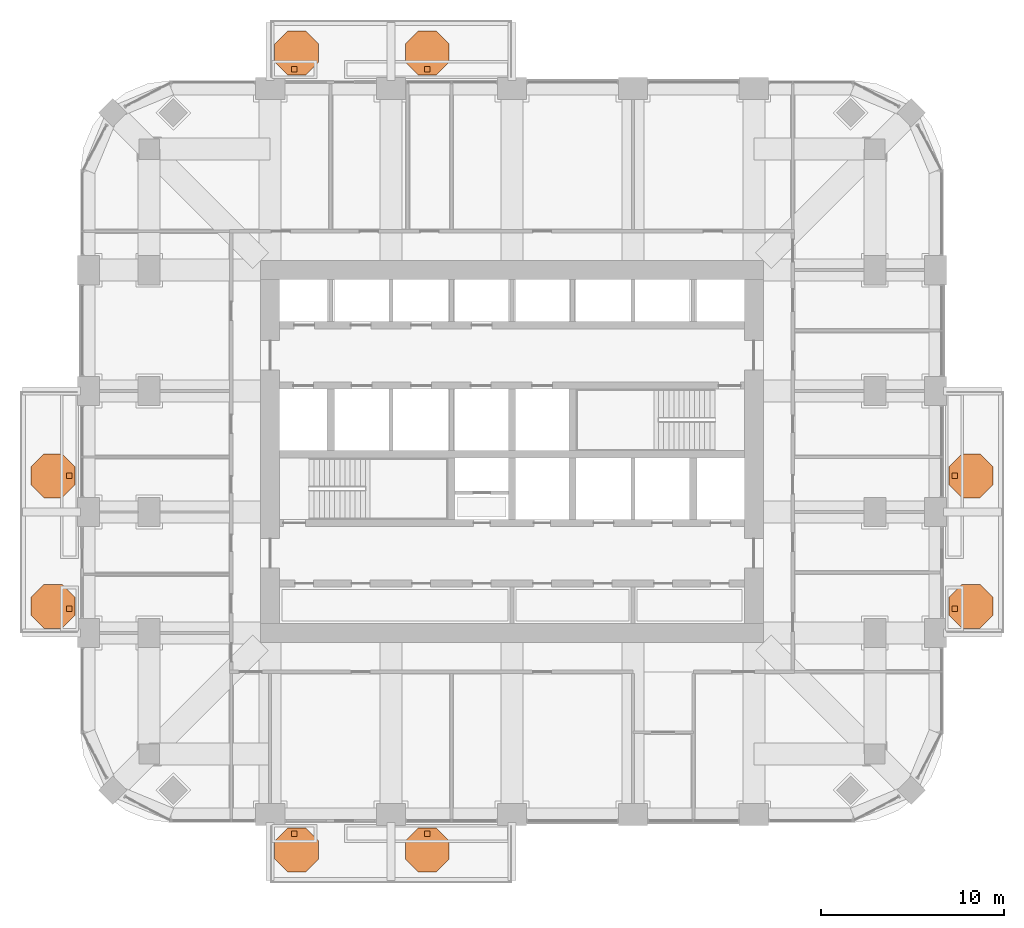
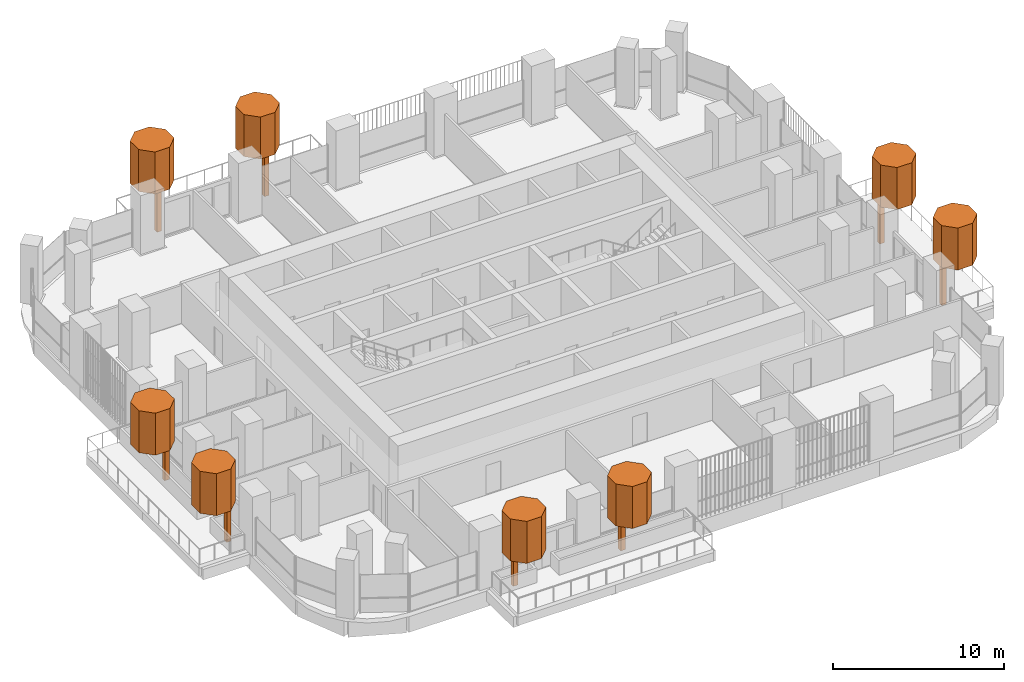
# One storey, part 20 of 20: 16 geographic elements.
"""IFC4 building model written with IfcOpenShell, lengths in metres."""

from ifc_helpers import new_model, si_unit, direction, frame, origin, origin_2d, place, context, subcontext, project, spatial, polyline, rectangle, outline, extrude, material, type_object, element, save


model = new_model("IFC4")

# Units and contexts
model_context = context("Model", 3, precision=1e-05, world=origin(), true_north=direction((0.0, 1.0)))
body_context = subcontext(model_context, "Body", "Model", "MODEL_VIEW")
ifc_project = project(units=[si_unit("LENGTHUNIT", "METRE"), si_unit("AREAUNIT", "SQUARE_METRE"), si_unit("VOLUMEUNIT", "CUBIC_METRE"), si_unit("PLANEANGLEUNIT", "RADIAN"), si_unit("MASSUNIT", "GRAM", prefix="KILO")], contexts=[model_context])

# Site, building, storey
site_placement = place(None, origin())
site = spatial("IfcSite", under=ifc_project, at=site_placement, CompositionType="ELEMENT")
building_placement = place(site_placement, origin())
building = spatial("IfcBuilding", under=site, at=building_placement, Name="Cobogo Forest Laboratory Tower", CompositionType="ELEMENT")
storey_placement = place(building_placement, frame((0.0, 0.0, 176.699951171875)))
storey = spatial("IfcBuildingStorey", under=building, at=storey_placement, Name="L40", CompositionType="ELEMENT", Elevation=176.699951171875)

# Geographic elements
ifc_material = material(Name="Planting", Category="plant")
geographic_element_type_1 = type_object("IfcGeographicElementType", Name="Tree trunk 300", PredefinedType="USERDEFINED", material=ifc_material)
for number, where, z_axis, x_axis, name in (
    (1, (14.52490234375, 2.25, 0.0), (0.0, 0.0, 1.0), (1.0, 0.0, 0.0), "Tree trunk BAL-S1-PL1 L40"),
    (2, (21.77490234375, 2.25, 0.0), (0.0, 0.0, 1.0), (1.0, 0.0, 0.0), "Tree trunk BAL-S1-PL2 L40"),
    (3, (50.550048828125, 14.52490234375, 0.0), (0.0, 0.0, 1.0), (1.0, 0.0, 0.0), "Tree trunk BAL-E1-PL1 L40"),
    (4, (50.550048828125, 21.77490234375, 0.0), (0.0, 0.0, 1.0), (1.0, 0.0, 0.0), "Tree trunk BAL-E1-PL2 L40"),
    (5, (14.52490234375, 43.949951171875, 0.0), (0.0, 0.0, 1.0), (1.0, 0.0, 0.0), "Tree trunk BAL-N1-PL1 L40"),
    (6, (21.77490234375, 43.949951171875, 0.0), (0.0, 0.0, 1.0), (1.0, 0.0, 0.0), "Tree trunk BAL-N1-PL2 L40"),
    (7, (2.25, 14.52490234375, 0.0), (0.0, 0.0, 1.0), (1.0, 0.0, 0.0), "Tree trunk BAL-W1-PL1 L40"),
    (8, (2.25, 21.77490234375, 0.0), (0.0, 0.0, 1.0), (1.0, 0.0, 0.0), "Tree trunk BAL-W1-PL2 L40"),
):
    element("IfcGeographicElement", number, at=place(storey_placement, frame(where, z_axis=z_axis, x_axis=x_axis)), inside=storey, type_object=geographic_element_type_1, Name=name, ObjectType="TREE TRUNK", PredefinedType="USERDEFINED", context=body_context, shape_type="SweptSolid", body=[
        extrude(rectangle(XDim=0.300048828125, YDim=0.300048828125, at=origin_2d()), origin(), (0.0, 0.0, 1.0), 2.89990234375),
    ])
geographic_element_type_2 = type_object("IfcGeographicElementType", Name="Tree, holm oak 5 m", PredefinedType="USERDEFINED", material=ifc_material)
geographic_element_1_placement = place(storey_placement, frame((0.0, 0.0, 2.900146484375)))
element("IfcGeographicElement", 9, at=geographic_element_1_placement, inside=storey, type_object=geographic_element_type_2, Name="Holm tree BAL-S1-PL1 L40", ObjectType="TREE", PredefinedType="USERDEFINED", context=body_context, shape_type="SweptSolid", body=[
    extrude(outline(polyline([(15.85009765625, 0.85302734375), (15.85009765625, 1.84716796875), (15.14697265625, 2.550048828125), (14.15283203125, 2.550048828125), (13.449951171875, 1.84716796875), (13.449951171875, 0.85302734375), (14.15283203125, 0.14990234375), (15.14697265625, 0.14990234375), (15.85009765625, 0.85302734375)])), origin(), (0.0, 0.0, 1.0), 3.0),
])
geographic_element_2_placement = place(storey_placement, frame((0.0, 0.0, 2.900146484375)))
element("IfcGeographicElement", 10, at=geographic_element_2_placement, inside=storey, type_object=geographic_element_type_2, Name="Holm tree BAL-S1-PL2 L40", ObjectType="TREE", PredefinedType="USERDEFINED", context=body_context, shape_type="SweptSolid", body=[
    extrude(outline(polyline([(22.97509765625, 0.85302734375), (22.97509765625, 1.84716796875), (22.27197265625, 2.550048828125), (21.27783203125, 2.550048828125), (20.574951171875, 1.84716796875), (20.574951171875, 0.85302734375), (21.27783203125, 0.14990234375), (22.27197265625, 0.14990234375), (22.97509765625, 0.85302734375)])), origin(), (0.0, 0.0, 1.0), 3.0),
])
geographic_element_3_placement = place(storey_placement, frame((0.0, 0.0, 2.900146484375)))
element("IfcGeographicElement", 11, at=geographic_element_3_placement, inside=storey, type_object=geographic_element_type_2, Name="Holm tree BAL-E1-PL1 L40", ObjectType="TREE", PredefinedType="USERDEFINED", context=body_context, shape_type="SweptSolid", body=[
    extrude(outline(polyline([(52.64990234375, 14.15283203125), (52.64990234375, 15.14697265625), (51.947021484375, 15.85009765625), (50.952880859375, 15.85009765625), (50.25, 15.14697265625), (50.25, 14.15283203125), (50.952880859375, 13.449951171875), (51.947021484375, 13.449951171875), (52.64990234375, 14.15283203125)])), origin(), (0.0, 0.0, 1.0), 3.0),
])
geographic_element_4_placement = place(storey_placement, frame((0.0, 0.0, 2.900146484375)))
element("IfcGeographicElement", 12, at=geographic_element_4_placement, inside=storey, type_object=geographic_element_type_2, Name="Holm tree BAL-E1-PL2 L40", ObjectType="TREE", PredefinedType="USERDEFINED", context=body_context, shape_type="SweptSolid", body=[
    extrude(outline(polyline([(52.64990234375, 21.27783203125), (52.64990234375, 22.27197265625), (51.947021484375, 22.97509765625), (50.952880859375, 22.97509765625), (50.25, 22.27197265625), (50.25, 21.27783203125), (50.952880859375, 20.574951171875), (51.947021484375, 20.574951171875), (52.64990234375, 21.27783203125)])), origin(), (0.0, 0.0, 1.0), 3.0),
])
geographic_element_5_placement = place(storey_placement, frame((0.0, 0.0, 2.900146484375)))
element("IfcGeographicElement", 13, at=geographic_element_5_placement, inside=storey, type_object=geographic_element_type_2, Name="Holm tree BAL-N1-PL1 L40", ObjectType="TREE", PredefinedType="USERDEFINED", context=body_context, shape_type="SweptSolid", body=[
    extrude(outline(polyline([(15.85009765625, 44.35302734375), (15.85009765625, 45.34716796875), (15.14697265625, 46.050048828125), (14.15283203125, 46.050048828125), (13.449951171875, 45.34716796875), (13.449951171875, 44.35302734375), (14.15283203125, 43.64990234375), (15.14697265625, 43.64990234375), (15.85009765625, 44.35302734375)])), origin(), (0.0, 0.0, 1.0), 3.0),
])
geographic_element_6_placement = place(storey_placement, frame((0.0, 0.0, 2.900146484375)))
element("IfcGeographicElement", 14, at=geographic_element_6_placement, inside=storey, type_object=geographic_element_type_2, Name="Holm tree BAL-N1-PL2 L40", ObjectType="TREE", PredefinedType="USERDEFINED", context=body_context, shape_type="SweptSolid", body=[
    extrude(outline(polyline([(22.97509765625, 44.35302734375), (22.97509765625, 45.34716796875), (22.27197265625, 46.050048828125), (21.27783203125, 46.050048828125), (20.574951171875, 45.34716796875), (20.574951171875, 44.35302734375), (21.27783203125, 43.64990234375), (22.27197265625, 43.64990234375), (22.97509765625, 44.35302734375)])), origin(), (0.0, 0.0, 1.0), 3.0),
])
geographic_element_7_placement = place(storey_placement, frame((0.0, 0.0, 2.900146484375)))
element("IfcGeographicElement", 15, at=geographic_element_7_placement, inside=storey, type_object=geographic_element_type_2, Name="Holm tree BAL-W1-PL1 L40", ObjectType="TREE", PredefinedType="USERDEFINED", context=body_context, shape_type="SweptSolid", body=[
    extrude(outline(polyline([(2.550048828125, 14.15283203125), (2.550048828125, 15.14697265625), (1.84716796875, 15.85009765625), (0.85302734375, 15.85009765625), (0.14990234375, 15.14697265625), (0.14990234375, 14.15283203125), (0.85302734375, 13.449951171875), (1.84716796875, 13.449951171875), (2.550048828125, 14.15283203125)])), origin(), (0.0, 0.0, 1.0), 3.0),
])
geographic_element_8_placement = place(storey_placement, frame((0.0, 0.0, 2.900146484375)))
element("IfcGeographicElement", 16, at=geographic_element_8_placement, inside=storey, type_object=geographic_element_type_2, Name="Holm tree BAL-W1-PL2 L40", ObjectType="TREE", PredefinedType="USERDEFINED", context=body_context, shape_type="SweptSolid", body=[
    extrude(outline(polyline([(2.550048828125, 21.27783203125), (2.550048828125, 22.27197265625), (1.84716796875, 22.97509765625), (0.85302734375, 22.97509765625), (0.14990234375, 22.27197265625), (0.14990234375, 21.27783203125), (0.85302734375, 20.574951171875), (1.84716796875, 20.574951171875), (2.550048828125, 21.27783203125)])), origin(), (0.0, 0.0, 1.0), 3.0),
])

save(model, "model.ifc")
